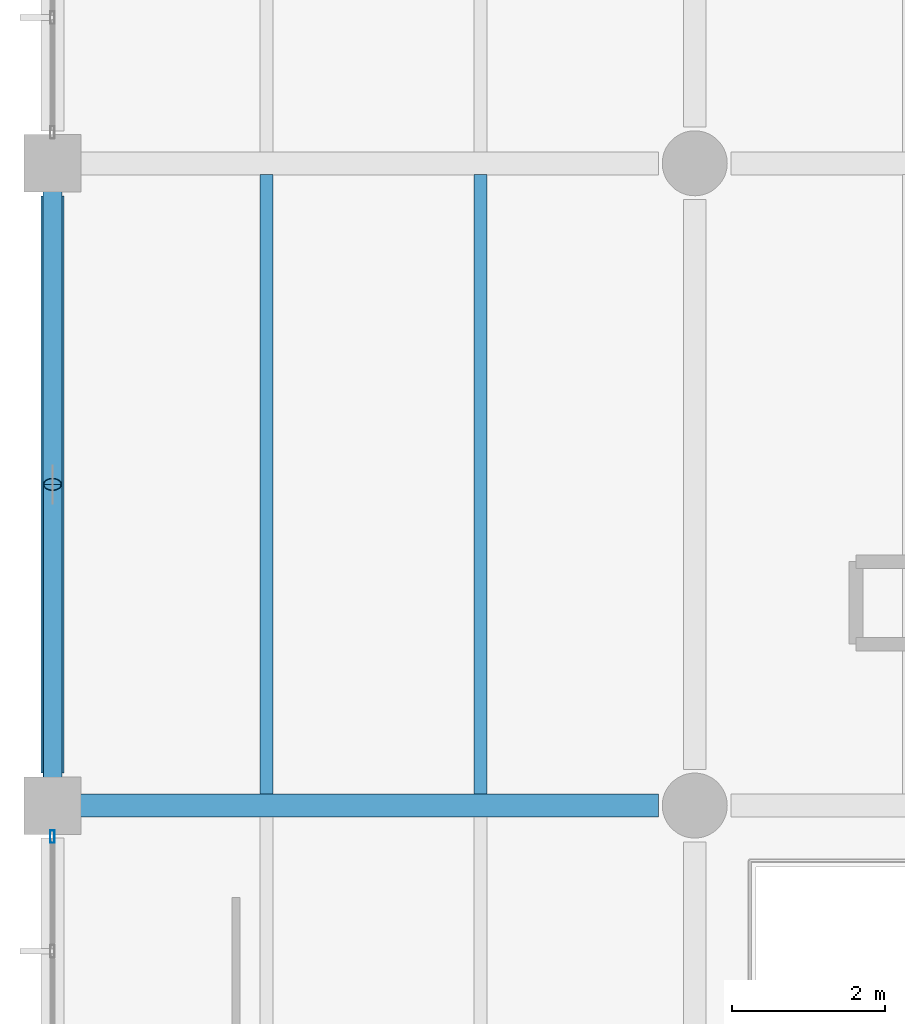
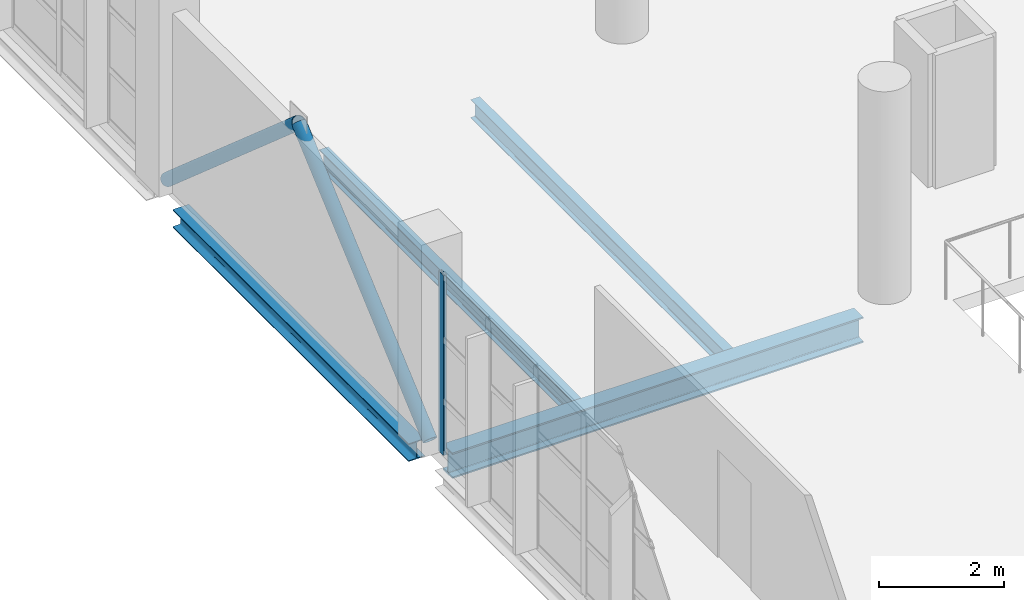
# One storey, part 54 of 177: 4 beams, 3 members, 1 element without a shape of its own.
"""IFC4 building model written with IfcOpenShell, lengths in metres."""

from ifc_helpers import new_model, si_unit, direction, frame, origin, origin_2d, place, context, subcontext, project, spatial, hollow_rectangle, hollow_circle, i_section, extrude, material, layer, layer_set, material_profile, profile_set, type_object, element, aggregate, save


model = new_model("IFC4")

# Units and contexts
model_context = context("Model", 3, precision=1e-05, world=origin(), true_north=direction((0.0, 1.0)))
body_context = subcontext(model_context, "Body", "Model", "MODEL_VIEW")
ifc_project = project(units=[si_unit("LENGTHUNIT", "METRE"), si_unit("AREAUNIT", "SQUARE_METRE"), si_unit("VOLUMEUNIT", "CUBIC_METRE"), si_unit("PLANEANGLEUNIT", "RADIAN"), si_unit("MASSUNIT", "GRAM", prefix="KILO"), si_unit("THERMODYNAMICTEMPERATUREUNIT", "KELVIN"), si_unit("POWERUNIT", "WATT")], contexts=[model_context])

# Site, building, storey
site_placement = place(None, origin())
site = spatial("IfcSite", under=ifc_project, at=site_placement, CompositionType="ELEMENT")
building_placement = place(site_placement, origin())
building = spatial("IfcBuilding", under=site, at=building_placement, Name="Mavoryth Pier Ferry Terminal", CompositionType="ELEMENT")
storey_placement = place(building_placement, frame((0.0, 0.0, 5.43994140625)))
storey = spatial("IfcBuildingStorey", under=building, at=storey_placement, Name="L01", CompositionType="ELEMENT", Elevation=5.43994140625)

# Beam
ifc_material_1 = material(Name="Steel S355J2", Category="steel")
ifc_material_profile_1 = material_profile(ifc_material_1, i_section(OverallWidth=0.300048828125, OverallDepth=0.5, WebThickness=0.014404296875, FlangeThickness=0.028076171875, FilletRadius=0.027099609375, at=origin_2d()), Name="HEB 500", Category="steel")
ifc_profile_set_1 = profile_set([ifc_material_profile_1], Name="Steel S355J2 - HEB 500")
beam_type_1 = type_object("IfcBeamType", Name="Beam-Steel-HEB500", PredefinedType="BEAM", material=ifc_profile_set_1)
beam_1_placement = place(storey_placement, frame((0.324951171875, 80.800048828125, -0.530029296875), z_axis=(1.0, 0.0, 0.0), x_axis=(0.0, 1.0, 0.0)))
element("IfcBeam", 1, at=beam_1_placement, inside=storey, type_object=beam_type_1, Name="Beam B01-SB01-0062", PredefinedType="BEAM", context=body_context, shape_type="SweptSolid", body=[
    extrude(i_section(OverallWidth=0.300048828125, OverallDepth=0.5, WebThickness=0.014404296875, FlangeThickness=0.028076171875, FilletRadius=0.027099609375, at=origin_2d()), origin(), (0.0, 0.0, 1.0), 7.60009765625),
])

# Members
ifc_material_profile_2 = material_profile(ifc_material_1, hollow_circle(Radius=0.122314453125, WallThickness=0.012451171875, at=origin_2d()), Name="CHS 244.5x12.5", Category="steel")
ifc_profile_set_2 = profile_set([ifc_material_profile_2], Name="Steel S355J2 - CHS 244.5x12.5")
member_type_1 = type_object("IfcMemberType", Name="Brace-Diag-CHS245", PredefinedType="BRACE", material=ifc_profile_set_2)
for number, where, z_axis, x_axis, name in (
    (2, (0.0, 80.800048828125, 0.0), (0.0, 0.753891827784, 0.656998563165), (-1.0, 0.0, 0.0), "Steel Member MB-L01-0312"),
    (3, (0.0, 89.199951171875, 0.0), (0.0, -0.753891827784, 0.656998563165), (1.0, 0.0, 0.0), "Steel Member MB-L01-0313"),
):
    element("IfcMember", number, at=place(storey_placement, frame(where, z_axis=z_axis, x_axis=x_axis)), inside=storey, type_object=member_type_1, Name=name, PredefinedType="BRACE", context=body_context, shape_type="SweptSolid", body=[
        extrude(hollow_circle(Radius=0.122314453125, WallThickness=0.012451171875, at=origin_2d()), origin(), (0.0, 0.0, 1.0), 5.571044921875),
    ])

# Beams
ifc_material_profile_3 = material_profile(ifc_material_1, i_section(OverallWidth=0.169921875, OverallDepth=0.360107421875, WebThickness=0.008056640625, FlangeThickness=0.0126953125, FilletRadius=0.01806640625, at=origin_2d()), Name="IPE 360", Category="steel")
ifc_profile_set_3 = profile_set([ifc_material_profile_3], Name="Steel S355J2 - IPE 360")
beam_type_2 = type_object("IfcBeamType", Name="Joist-Steel-IPE360", PredefinedType="JOIST", material=ifc_profile_set_3)
for number, where, z_axis, x_axis, name in (
    (4, (2.800048828125, 80.949951171875, -0.4599609375), (0.0, 1.0, 0.0), (-1.0, 0.0, 0.0), "Beam B01-SJ02-0117"),
    (5, (5.60009765625, 80.949951171875, -0.4599609375), (0.0, 1.0, 0.0), (-1.0, 0.0, 0.0), "Beam B01-SJ02-0118"),
):
    element("IfcBeam", number, at=place(storey_placement, frame(where, z_axis=z_axis, x_axis=x_axis)), inside=storey, type_object=beam_type_2, Name=name, PredefinedType="JOIST", context=body_context, shape_type="SweptSolid", body=[
        extrude(i_section(OverallWidth=0.169921875, OverallDepth=0.360107421875, WebThickness=0.008056640625, FlangeThickness=0.0126953125, FilletRadius=0.01806640625, at=origin_2d()), origin(), (0.0, 0.0, 1.0), 8.10009765625),
    ])

# Curtain wall, member
ifc_material_2 = material(Name="Anodised Aluminium and Solar-Control Low-E Glass", Category="aluminium")
ifc_layer = layer(ifc_material_2, 0.179931640625, Name="Anodised Aluminium and Solar-Control Low-E Glass", Category="aluminium")
ifc_layer_set = layer_set([ifc_layer], Name="Anodised Aluminium and Solar-Control Low-E Glass - CW-Concourse-Mod1400")
curtain_wall_type = type_object("IfcCurtainWallType", Name="CW-Concourse-Mod1400", PredefinedType="USERDEFINED", material=ifc_layer_set)
curtain_wall_placement = place(storey_placement, origin())
curtain_wall = element("IfcCurtainWall", 6, at=curtain_wall_placement, inside=storey, type_object=curtain_wall_type, Name="Curtain Wall CW-0122-019", ObjectType="UNITISED CURTAIN WALL", PredefinedType="USERDEFINED")
ifc_material_3 = material(Name="Anodised Aluminium EN AW-6063", Category="aluminium")
ifc_material_profile_4 = material_profile(ifc_material_3, hollow_rectangle(XDim=0.06005859375, YDim=0.1650390625, WallThickness=0.00390625, InnerFilletRadius=0.00390625, OuterFilletRadius=0.008056640625, at=origin_2d()), Name="AL-MULL 165x60x4", Category="aluminium")
ifc_profile_set_4 = profile_set([ifc_material_profile_4], Name="Anodised Aluminium EN AW-6063 - AL-MULL 165x60x4")
member_type_2 = type_object("IfcMemberType", Name="Mullion-Alum-165x60", PredefinedType="MULLION", material=ifc_profile_set_4)
member_placement = place(storey_placement, frame((0.0, 80.39501953125, 0.0), z_axis=(0.0, 0.0, 1.0), x_axis=(1.0, 0.0, 0.0)))
member = element("IfcMember", 7, at=member_placement, type_object=member_type_2, Name="CW01 mullion 1", PredefinedType="MULLION", context=body_context, shape_type="SweptSolid", body=[
    extrude(hollow_rectangle(XDim=0.06005859375, YDim=0.1650390625, WallThickness=0.00390625, InnerFilletRadius=0.00390625, OuterFilletRadius=0.008056640625, at=origin_2d()), origin(), (0.0, 0.0, 1.0), 3.51513671875),
])
aggregate(curtain_wall, [member])

# Beam
ifc_material_profile_5 = material_profile(ifc_material_1, i_section(OverallWidth=0.300048828125, OverallDepth=0.35009765625, WebThickness=0.010009765625, FlangeThickness=0.017578125, FilletRadius=0.027099609375, at=origin_2d()), Name="HEA 360", Category="steel")
ifc_profile_set_5 = profile_set([ifc_material_profile_5], Name="Steel S355J2 - HEA 360")
beam_type_3 = type_object("IfcBeamType", Name="Spandrel-Steel-HEA360", PredefinedType="SPANDREL", material=ifc_profile_set_5)
beam_2_placement = place(storey_placement, frame((0.0, 81.22509765625, -0.454833984375), z_axis=(0.0, 1.0, 0.0), x_axis=(-1.0, 0.0, 0.0)))
element("IfcBeam", 8, at=beam_2_placement, inside=storey, type_object=beam_type_3, Name="Beam B01-SP03-0082", PredefinedType="SPANDREL", context=body_context, shape_type="SweptSolid", body=[
    extrude(i_section(OverallWidth=0.300048828125, OverallDepth=0.35009765625, WebThickness=0.010009765625, FlangeThickness=0.017578125, FilletRadius=0.027099609375, at=origin_2d()), origin(), (0.0, 0.0, 1.0), 7.5498046875),
])

save(model, "model.ifc")
